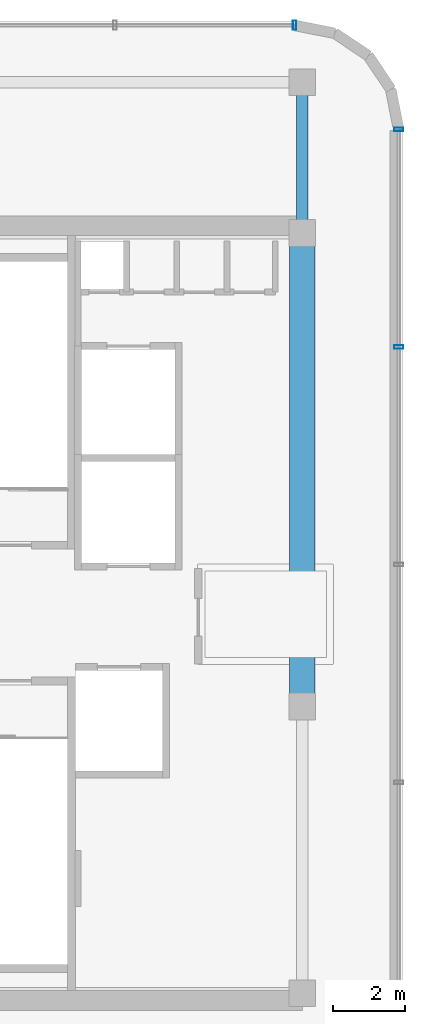
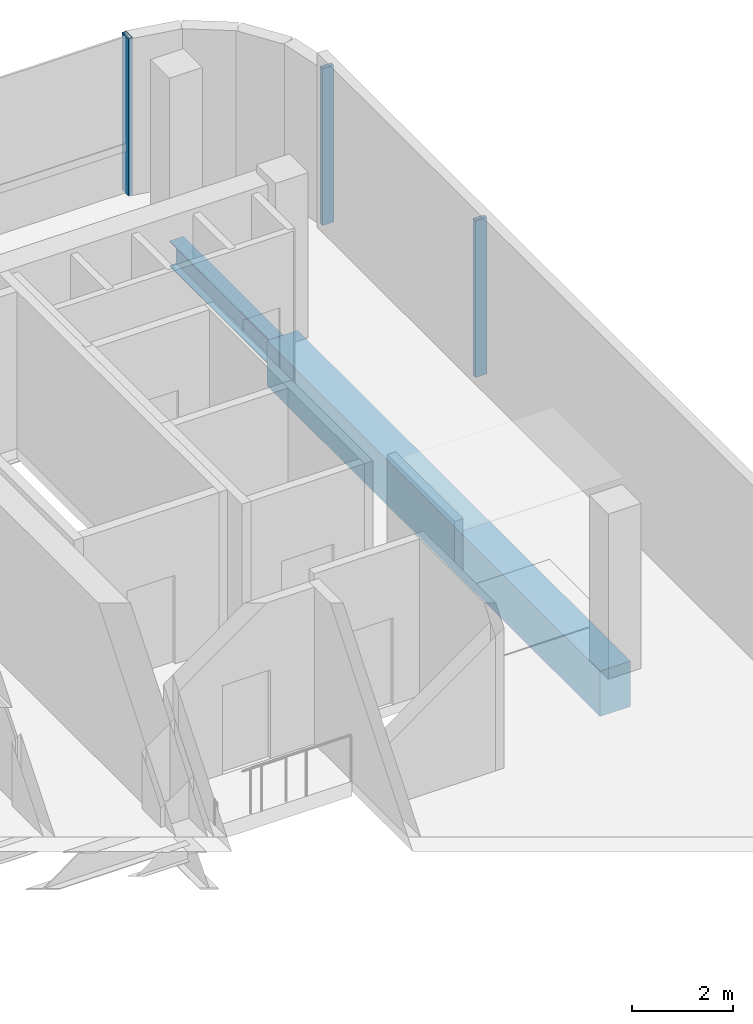
# One storey, part 8 of 11: 3 members, 2 beams, 2 elements without a shape of their own.
"""IFC4 building model written with IfcOpenShell, lengths in metres."""

from ifc_helpers import new_model, si_unit, direction, frame, origin, origin_2d, place, context, subcontext, project, spatial, rectangle, hollow_rectangle, i_section, extrude, source, transform, mapped, material, material_profile, profile_set, type_object, element, aggregate, save


model = new_model("IFC4")

# Units and contexts
model_context = context("Model", 3, precision=1e-05, world=origin(), true_north=direction((0.0, 1.0)))
body_context = subcontext(model_context, "Body", "Model", "MODEL_VIEW")
ifc_project = project(units=[si_unit("LENGTHUNIT", "METRE"), si_unit("AREAUNIT", "SQUARE_METRE"), si_unit("VOLUMEUNIT", "CUBIC_METRE"), si_unit("PLANEANGLEUNIT", "RADIAN"), si_unit("MASSUNIT", "GRAM", prefix="KILO")], contexts=[model_context])

# Site, building, storey
site_placement = place(None, origin())
site = spatial("IfcSite", under=ifc_project, at=site_placement, CompositionType="ELEMENT")
building_placement = place(site_placement, origin())
building = spatial("IfcBuilding", under=site, at=building_placement, Name="Valdorenza Pilgrim Sanctuary Tower", CompositionType="ELEMENT")
storey_placement = place(building_placement, frame((0.0, 0.0, 303.60009765625)))
storey = spatial("IfcBuildingStorey", under=building, at=storey_placement, Name="L79", CompositionType="ELEMENT", Elevation=303.60009765625)

# Beams
ifc_material_1 = material(Name="Concrete C50/60", Category="concrete")
ifc_material_profile_1 = material_profile(ifc_material_1, rectangle(XDim=0.699951171875, YDim=1.10009765625, at=origin_2d()), Name="RC 1100x700")
ifc_profile_set_1 = profile_set([ifc_material_profile_1], Name="Concrete C50/60")
beam_type_1 = type_object("IfcBeamType", Name="STR-BM-LNT-1100", PredefinedType="LINTEL", material=ifc_profile_set_1)
shared_shape_1 = source(origin(), body_context, "Body", "SweptSolid", [
    extrude(rectangle(XDim=0.699951171875, YDim=1.10009765625, at=origin_2d()), origin(), (0.0, 0.0, 1.0), 13.2001953125),
])
beam_1_placement = place(storey_placement, frame((-12.39990234375, -2.60009765625, -0.590087890625), z_axis=(0.0, 1.0, 0.0), x_axis=(-1.0, 0.0, 0.0)))
element("IfcBeam", 1, at=beam_1_placement, inside=storey, type_object=beam_type_1, Name="L79 Core A Coupling Lintel Girder", PredefinedType="LINTEL", context=body_context, shape_type="MappedRepresentation", body=[
    mapped(shared_shape_1, transform((0.0, 0.0, 0.0), x_axis=(1.0, 0.0, 0.0), y_axis=(0.0, 1.0, 0.0), z_axis=(0.0, 0.0, 1.0), scale=1.0)),
])
ifc_material_2 = material(Name="Steel ASTM A992 Grade 50", Category="steel")
ifc_material_profile_2 = material_profile(ifc_material_2, i_section(OverallWidth=0.323974609375, OverallDepth=0.611083984375, WebThickness=0.0126953125, FlangeThickness=0.01904296875, at=origin_2d()), Name="W24X104")
ifc_profile_set_2 = profile_set([ifc_material_profile_2], Name="Steel ASTM A992 Grade 50")
beam_type_2 = type_object("IfcBeamType", Name="STR-BM-GRD-W24B", PredefinedType="BEAM", material=ifc_profile_set_2)
shared_shape_2 = source(origin(), body_context, "Body", "SweptSolid", [
    extrude(i_section(OverallWidth=0.323974609375, OverallDepth=0.611083984375, WebThickness=0.0126953125, FlangeThickness=0.01904296875, at=origin_2d()), origin(), (0.0, 0.0, 1.0), 4.199951171875),
])
beam_2_placement = place(storey_placement, frame((-12.39990234375, 10.60009765625, -0.545654296875), z_axis=(0.0, 1.0, 0.0), x_axis=(-1.0, 0.0, 0.0)))
element("IfcBeam", 2, at=beam_2_placement, inside=storey, type_object=beam_type_2, Name="L79 Core Tie Girder CA-E-N1N2", PredefinedType="BEAM", context=body_context, shape_type="MappedRepresentation", body=[
    mapped(shared_shape_2, transform((0.0, 0.0, 0.0), x_axis=(1.0, 0.0, 0.0), y_axis=(0.0, 1.0, 0.0), z_axis=(0.0, 0.0, 1.0), scale=1.0)),
])

# Curtain wall, member
ifc_material_3 = material(Name="Curtain-wall IGU glazing", Category="glass")
curtain_wall_type = type_object("IfcCurtainWallType", Name="CW-SYS-06", PredefinedType="NOTDEFINED", material=ifc_material_3)
curtain_wall_1_placement = place(storey_placement, origin())
curtain_wall_1 = element("IfcCurtainWall", 3, at=curtain_wall_1_placement, inside=storey, type_object=curtain_wall_type, Name="L79 Curtain Wall CW-L79-1-6", PredefinedType="NOTDEFINED")
ifc_material_4 = material(Name="Anodised aluminium AW-6060", Category="aluminium")
ifc_material_profile_3 = material_profile(ifc_material_4, hollow_rectangle(XDim=0.10009765625, YDim=0.260009765625, WallThickness=0.006103515625, at=origin_2d()), Name="ALU-M 260x100x6")
ifc_profile_set_3 = profile_set([ifc_material_profile_3], Name="Anodised aluminium AW-6060")
member_type = type_object("IfcMemberType", Name="CW-MUL-06", PredefinedType="MULLION", material=ifc_profile_set_3)
shared_shape_3 = source(origin(), body_context, "Body", "SweptSolid", [
    extrude(hollow_rectangle(XDim=0.10009765625, YDim=0.260009765625, WallThickness=0.006103515625, at=origin_2d()), origin(), (0.0, 0.0, 1.0), 3.7998046875),
])
member_1_placement = place(storey_placement, frame((-12.61083984375, 16.389892578125, 0.0), z_axis=(0.0, 0.0, 1.0), x_axis=(1.0, 0.0, 0.0)))
member_1 = element("IfcMember", 4, at=member_1_placement, type_object=member_type, Name="CW-L79-1-6 Mullion 4", PredefinedType="MULLION", context=body_context, shape_type="MappedRepresentation", body=[
    mapped(shared_shape_3, transform((0.0, 0.0, 0.0), x_axis=(1.0, 0.0, 0.0), y_axis=(0.0, 1.0, 0.0), z_axis=(0.0, 0.0, 1.0), scale=1.0)),
])
aggregate(curtain_wall_1, [member_1])

# Curtain wall, members
curtain_wall_2_placement = place(storey_placement, origin())
curtain_wall_2 = element("IfcCurtainWall", 5, at=curtain_wall_2_placement, inside=storey, type_object=curtain_wall_type, Name="L79 Curtain Wall CW-L79-1-11", PredefinedType="NOTDEFINED")
member_2_placement = place(storey_placement, frame((-9.7099609375, 13.4892578125, 0.0), z_axis=(0.0, 0.0, 1.0), x_axis=(0.0, -1.0, 0.0)))
member_2 = element("IfcMember", 6, at=member_2_placement, type_object=member_type, Name="CW-L79-1-11 Mullion 1", PredefinedType="MULLION", context=body_context, shape_type="MappedRepresentation", body=[
    mapped(shared_shape_3, transform((0.0, 0.0, 0.0), x_axis=(1.0, 0.0, 0.0), y_axis=(0.0, 1.0, 0.0), z_axis=(0.0, 0.0, 1.0), scale=1.0)),
])
member_3_placement = place(storey_placement, frame((-9.7099609375, 7.419677734375, 0.0), z_axis=(0.0, 0.0, 1.0), x_axis=(0.0, -1.0, 0.0)))
member_3 = element("IfcMember", 7, at=member_3_placement, type_object=member_type, Name="CW-L79-1-11 Mullion 2", PredefinedType="MULLION", context=body_context, shape_type="MappedRepresentation", body=[
    mapped(shared_shape_3, transform((0.0, 0.0, 0.0), x_axis=(1.0, 0.0, 0.0), y_axis=(0.0, 1.0, 0.0), z_axis=(0.0, 0.0, 1.0), scale=1.0)),
])
aggregate(curtain_wall_2, [member_2, member_3])

save(model, "model.ifc")
